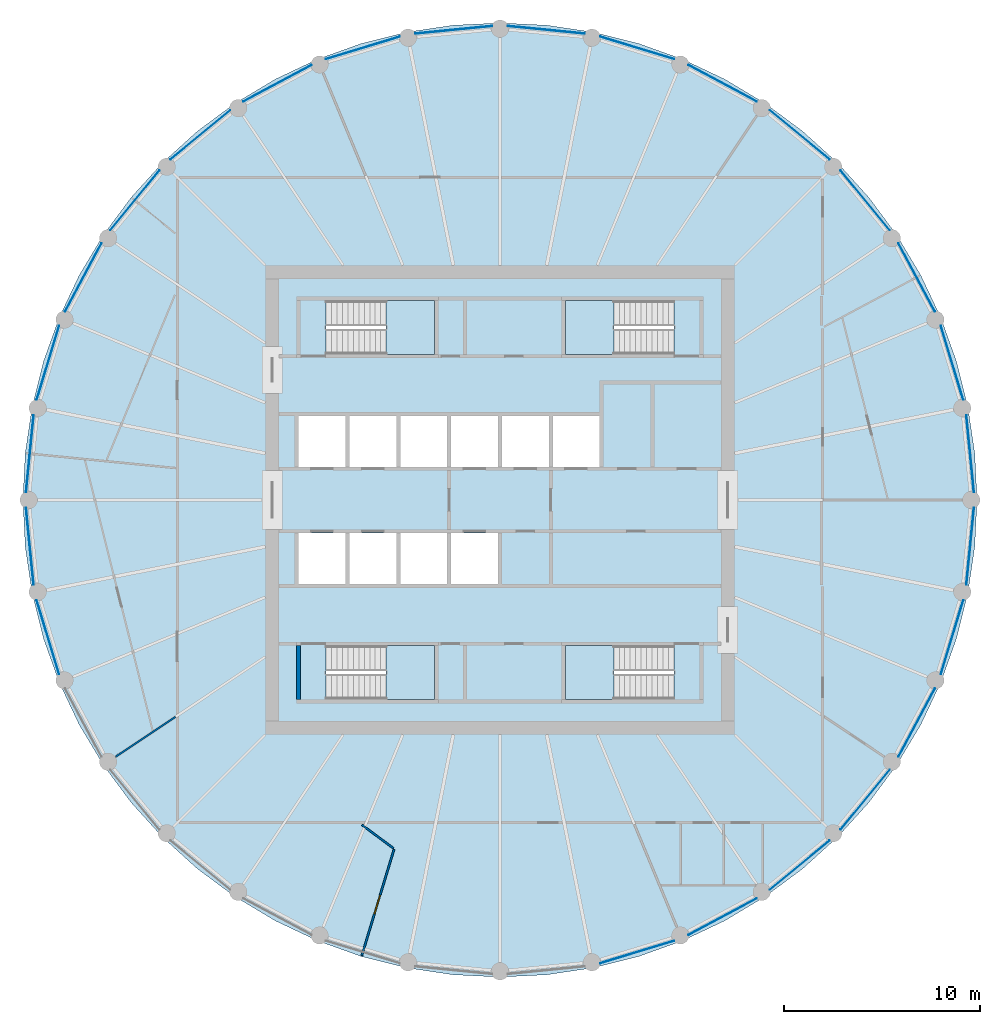
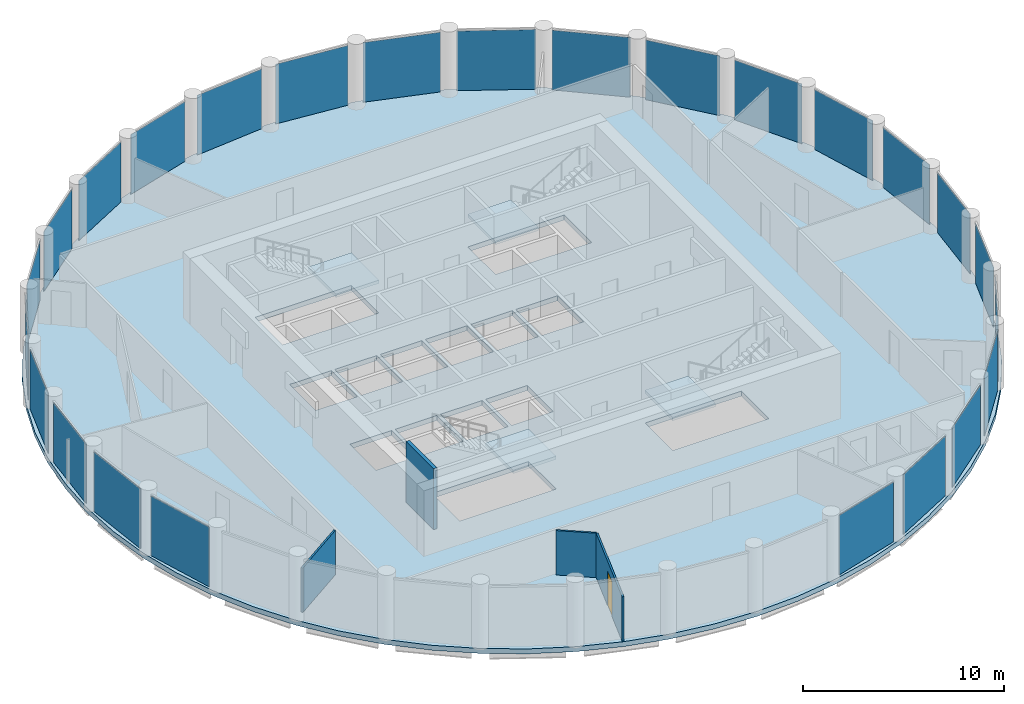
# One storey, part 3 of 7: 25 plates, 5 slabs, 4 walls, 1 door, 1 opening, 29 elements without a shape of their own.
"""IFC4 building model written with IfcOpenShell, lengths in metres."""

from ifc_helpers import new_model, si_unit, direction, frame, frame_2d, origin, origin_2d, place, context, subcontext, project, spatial, polyline, rectangle, outline, extrude, material, layer, layer_set, type_object, element, fill, aggregate, save


model = new_model("IFC4")

# Units and contexts
model_context = context("Model", 3, precision=1e-05, world=origin(), true_north=direction((0.0, 1.0)))
body_context = subcontext(model_context, "Body", "Model", "MODEL_VIEW")
ifc_project = project(units=[si_unit("LENGTHUNIT", "METRE"), si_unit("AREAUNIT", "SQUARE_METRE"), si_unit("VOLUMEUNIT", "CUBIC_METRE"), si_unit("PLANEANGLEUNIT", "RADIAN"), si_unit("MASSUNIT", "GRAM", prefix="KILO")], contexts=[model_context])

# Site, building, storey
site_placement = place(None, origin())
site = spatial("IfcSite", under=ifc_project, at=site_placement, CompositionType="ELEMENT")
building_placement = place(site_placement, origin())
building = spatial("IfcBuilding", under=site, at=building_placement, Name="Corvane Civic Tower", CompositionType="ELEMENT")
storey_placement = place(building_placement, frame((0.0, 0.0, 271.0)))
storey = spatial("IfcBuildingStorey", under=building, at=storey_placement, Name="L64", CompositionType="ELEMENT", Elevation=271.0)

# Slab
ifc_material_1 = material(Name="Concrete C40/50", Category="concrete")
ifc_layer_1 = layer(ifc_material_1, 0.300048828125)
ifc_layer_set_1 = layer_set([ifc_layer_1], Name="Concrete C40/50")
slab_type_1 = type_object("IfcSlabType", Name="FLOOR SLAB 300", PredefinedType="FLOOR", material=ifc_layer_set_1)
slab_1_placement = place(storey_placement, frame((0.0, 0.0, -0.300048828125)))
element("IfcSlab", 1, at=slab_1_placement, inside=storey, type_object=slab_type_1, Name="SLB-L64", PredefinedType="FLOOR", context=body_context, shape_type="SweptSolid", body=[
    extrude(outline(polyline([(0.0, 24.39990234375), (-2.3916015625, 24.282470703125), (-4.76025390625, 23.93115234375), (-7.0830078125, 23.349365234375), (-9.33740234375, 22.542724609375), (-11.502197265625, 21.518798828125), (-13.555908203125, 20.287841796875), (-15.479248046875, 18.861572265625), (-17.25341796875, 17.25341796875), (-18.861572265625, 15.479248046875), (-20.287841796875, 13.555908203125), (-21.518798828125, 11.502197265625), (-22.542724609375, 9.33740234375), (-23.349365234375, 7.0830078125), (-23.93115234375, 4.76025390625), (-24.282470703125, 2.3916015625), (-24.39990234375, 0.0), (-24.282470703125, -2.3916015625), (-23.93115234375, -4.76025390625), (-23.349365234375, -7.0830078125), (-22.542724609375, -9.33740234375), (-21.518798828125, -11.502197265625), (-20.287841796875, -13.555908203125), (-18.861572265625, -15.479248046875), (-17.25341796875, -17.25341796875), (-15.479248046875, -18.861572265625), (-13.555908203125, -20.287841796875), (-11.502197265625, -21.518798828125), (-9.33740234375, -22.542724609375), (-7.0830078125, -23.349365234375), (-4.76025390625, -23.93115234375), (-2.3916015625, -24.282470703125), (0.0, -24.39990234375), (2.3916015625, -24.282470703125), (4.76025390625, -23.93115234375), (7.0830078125, -23.349365234375), (9.33740234375, -22.542724609375), (11.502197265625, -21.518798828125), (13.555908203125, -20.287841796875), (15.479248046875, -18.861572265625), (17.25341796875, -17.25341796875), (18.861572265625, -15.479248046875), (20.287841796875, -13.555908203125), (21.518798828125, -11.502197265625), (22.542724609375, -9.33740234375), (23.349365234375, -7.0830078125), (23.93115234375, -4.76025390625), (24.282470703125, -2.3916015625), (24.39990234375, 0.0), (24.282470703125, 2.3916015625), (23.93115234375, 4.76025390625), (23.349365234375, 7.0830078125), (22.542724609375, 9.33740234375), (21.518798828125, 11.502197265625), (20.287841796875, 13.555908203125), (18.861572265625, 15.479248046875), (17.25341796875, 17.25341796875), (15.479248046875, 18.861572265625), (13.555908203125, 20.287841796875), (11.502197265625, 21.518798828125), (9.33740234375, 22.542724609375), (7.0830078125, 23.349365234375), (4.76025390625, 23.93115234375), (2.3916015625, 24.282470703125), (0.0, 24.39990234375)]), holes=[polyline([(-7.89990234375, 1.699951171875), (-10.300048828125, 1.699951171875), (-10.300048828125, 4.300048828125), (-7.89990234375, 4.300048828125), (-7.89990234375, 1.699951171875)]), polyline([(-5.300048828125, 1.699951171875), (-7.699951171875, 1.699951171875), (-7.699951171875, 4.300048828125), (-5.300048828125, 4.300048828125), (-5.300048828125, 1.699951171875)]), polyline([(-2.699951171875, 4.300048828125), (-2.699951171875, 1.699951171875), (-5.10009765625, 1.699951171875), (-5.10009765625, 4.300048828125), (-2.699951171875, 4.300048828125)]), polyline([(-0.10009765625, 4.300048828125), (-0.10009765625, 1.699951171875), (-2.5, 1.699951171875), (-2.5, 4.300048828125), (-0.10009765625, 4.300048828125)]), polyline([(2.5, 4.300048828125), (2.5, 1.699951171875), (0.10009765625, 1.699951171875), (0.10009765625, 4.300048828125), (2.5, 4.300048828125)]), polyline([(5.10009765625, 4.300048828125), (5.10009765625, 1.699951171875), (2.699951171875, 1.699951171875), (2.699951171875, 4.300048828125), (5.10009765625, 4.300048828125)]), polyline([(-10.300048828125, -4.300048828125), (-10.300048828125, -1.699951171875), (-7.89990234375, -1.699951171875), (-7.89990234375, -4.300048828125), (-10.300048828125, -4.300048828125)]), polyline([(-7.699951171875, -4.300048828125), (-7.699951171875, -1.699951171875), (-5.300048828125, -1.699951171875), (-5.300048828125, -4.300048828125), (-7.699951171875, -4.300048828125)]), polyline([(-2.699951171875, -1.699951171875), (-2.699951171875, -4.300048828125), (-5.10009765625, -4.300048828125), (-5.10009765625, -1.699951171875), (-2.699951171875, -1.699951171875)]), polyline([(-2.5, -4.300048828125), (-2.5, -1.699951171875), (-0.10009765625, -1.699951171875), (-0.10009765625, -4.300048828125), (-2.5, -4.300048828125)]), polyline([(8.889892578125, 10.199951171875), (8.889892578125, 7.449951171875), (3.35009765625, 7.449951171875), (3.35009765625, 10.199951171875), (8.889892578125, 10.199951171875)]), polyline([(-8.889892578125, 7.449951171875), (-8.889892578125, 10.199951171875), (-3.35009765625, 10.199951171875), (-3.35009765625, 7.449951171875), (-8.889892578125, 7.449951171875)]), polyline([(8.889892578125, -7.449951171875), (8.889892578125, -10.199951171875), (3.35009765625, -10.199951171875), (3.35009765625, -7.449951171875), (8.889892578125, -7.449951171875)]), polyline([(-8.889892578125, -10.199951171875), (-8.889892578125, -7.449951171875), (-3.35009765625, -7.449951171875), (-3.35009765625, -10.199951171875), (-8.889892578125, -10.199951171875)])]), origin(), (0.0, 0.0, 1.0), 0.300048828125),
])

# Stair, slab
ifc_material_2 = material(Name="Concrete C40/50", Category="concrete")
stair_type = type_object("IfcStairType", Name="ST-STAIR-HALFTURN", PredefinedType="HALF_TURN_STAIR", material=ifc_material_2)
stair_1_placement = place(storey_placement, origin())
stair_1 = element("IfcStair", 2, at=stair_1_placement, inside=storey, type_object=stair_type, Name="L64 Exit stair ST1", PredefinedType="HALF_TURN_STAIR")
ifc_material_3 = material(Name="Concrete C40/50", Category="concrete")
ifc_layer_2 = layer(ifc_material_3, 0.199951171875)
ifc_layer_set_2 = layer_set([ifc_layer_2], Name="Concrete C40/50")
slab_type_2 = type_object("IfcSlabType", Name="ST-LANDING-RC", PredefinedType="LANDING", material=ifc_layer_set_2)
slab_2_placement = place(storey_placement, frame((0.0, 0.0, 1.800048828125)))
slab_2 = element("IfcSlab", 3, at=slab_2_placement, type_object=slab_type_2, Name="ST1 landing 1", PredefinedType="LANDING", context=body_context, shape_type="SweptSolid", body=[
    extrude(outline(polyline([(5.820068359375, 10.199951171875), (3.35009765625, 10.199951171875), (3.35009765625, 7.449951171875), (5.820068359375, 7.449951171875), (5.820068359375, 10.199951171875)])), origin(), (0.0, 0.0, 1.0), 0.199951171875),
])
aggregate(stair_1, [slab_2])

stair_2_placement = place(storey_placement, origin())
stair_2 = element("IfcStair", 4, at=stair_2_placement, inside=storey, type_object=stair_type, Name="L64 Exit stair ST2", PredefinedType="HALF_TURN_STAIR")
slab_3_placement = place(storey_placement, frame((0.0, 0.0, 1.800048828125)))
slab_3 = element("IfcSlab", 5, at=slab_3_placement, type_object=slab_type_2, Name="ST2 landing 1", PredefinedType="LANDING", context=body_context, shape_type="SweptSolid", body=[
    extrude(outline(polyline([(5.820068359375, -7.449951171875), (3.35009765625, -7.449951171875), (3.35009765625, -10.199951171875), (5.820068359375, -10.199951171875), (5.820068359375, -7.449951171875)])), origin(), (0.0, 0.0, 1.0), 0.199951171875),
])
aggregate(stair_2, [slab_3])

stair_3_placement = place(storey_placement, origin())
stair_3 = element("IfcStair", 6, at=stair_3_placement, inside=storey, type_object=stair_type, Name="L64 Exit stair ST3", PredefinedType="HALF_TURN_STAIR")
slab_4_placement = place(storey_placement, frame((0.0, 0.0, 1.800048828125)))
slab_4 = element("IfcSlab", 7, at=slab_4_placement, type_object=slab_type_2, Name="ST3 landing 1", PredefinedType="LANDING", context=body_context, shape_type="SweptSolid", body=[
    extrude(outline(polyline([(-5.820068359375, -10.199951171875), (-3.35009765625, -10.199951171875), (-3.35009765625, -7.449951171875), (-5.820068359375, -7.449951171875), (-5.820068359375, -10.199951171875)])), origin(), (0.0, 0.0, 1.0), 0.199951171875),
])
aggregate(stair_3, [slab_4])

stair_4_placement = place(storey_placement, origin())
stair_4 = element("IfcStair", 8, at=stair_4_placement, inside=storey, type_object=stair_type, Name="L64 Exit stair ST4", PredefinedType="HALF_TURN_STAIR")
slab_5_placement = place(storey_placement, frame((0.0, 0.0, 1.800048828125)))
slab_5 = element("IfcSlab", 9, at=slab_5_placement, type_object=slab_type_2, Name="ST4 landing 1", PredefinedType="LANDING", context=body_context, shape_type="SweptSolid", body=[
    extrude(outline(polyline([(-5.820068359375, 7.449951171875), (-3.35009765625, 7.449951171875), (-3.35009765625, 10.199951171875), (-5.820068359375, 10.199951171875), (-5.820068359375, 7.449951171875)])), origin(), (0.0, 0.0, 1.0), 0.199951171875),
])
aggregate(stair_4, [slab_5])

# Curtain wall, plate
ifc_material_4 = material(Name="Anodised aluminium bronze", Category="aluminium")
curtain_wall_type = type_object("IfcCurtainWallType", Name="TOWER CW-T3 STICK CURTAIN WALL", PredefinedType="NOTDEFINED", material=ifc_material_4)
curtain_wall_1_placement = place(storey_placement, origin())
curtain_wall_1 = element("IfcCurtainWall", 10, at=curtain_wall_1_placement, inside=storey, type_object=curtain_wall_type, Name="Curtain wall CW-T3 L64 bay 01", PredefinedType="NOTDEFINED")
ifc_material_5 = material(Name="Tinted glass", Category="glass")
ifc_layer_3 = layer(ifc_material_5, 0.028076171875)
ifc_layer_set_3 = layer_set([ifc_layer_3], Name="Tinted glass")
plate_type = type_object("IfcPlateType", Name="TOWER CW-T3 PANEL IGU28", PredefinedType="CURTAIN_PANEL", material=ifc_layer_set_3)
plate_1_placement = place(storey_placement, frame((2.368408203125, 24.046875, 0.0), z_axis=(0.0, 0.0, 1.0), x_axis=(0.99518437747, -0.098020685775, 0.0)))
plate_1 = element("IfcPlate", 11, at=plate_1_placement, type_object=plate_type, Name="Glass panel CW-T3 L64 01.1", PredefinedType="CURTAIN_PANEL", context=body_context, shape_type="SweptSolid", body=[
    extrude(rectangle(XDim=3.958740234375, YDim=0.028076171875, at=origin_2d()), origin(), (0.0, 0.0, 1.0), 3.6298828125),
])
aggregate(curtain_wall_1, [plate_1])

curtain_wall_2_placement = place(storey_placement, origin())
curtain_wall_2 = element("IfcCurtainWall", 12, at=curtain_wall_2_placement, inside=storey, type_object=curtain_wall_type, Name="Curtain wall CW-T3 L64 bay 02", PredefinedType="NOTDEFINED")
plate_2_placement = place(storey_placement, frame((7.01416015625, 23.12255859375, 0.0), z_axis=(0.0, 0.0, 1.0), x_axis=(0.956943694519, -0.290273604586, 0.0)))
plate_2 = element("IfcPlate", 13, at=plate_2_placement, type_object=plate_type, Name="Glass panel CW-T3 L64 02.1", PredefinedType="CURTAIN_PANEL", context=body_context, shape_type="SweptSolid", body=[
    extrude(rectangle(XDim=3.958984375, YDim=0.028076171875, at=origin_2d()), origin(), (0.0, 0.0, 1.0), 3.6298828125),
])
aggregate(curtain_wall_2, [plate_2])

curtain_wall_3_placement = place(storey_placement, origin())
curtain_wall_3 = element("IfcCurtainWall", 14, at=curtain_wall_3_placement, inside=storey, type_object=curtain_wall_type, Name="Curtain wall CW-T3 L64 bay 03", PredefinedType="NOTDEFINED")
plate_3_placement = place(storey_placement, frame((11.390380859375, 21.31005859375, 0.0), z_axis=(0.0, 0.0, 1.0), x_axis=(0.881908138655, -0.471421292448, 0.0)))
plate_3 = element("IfcPlate", 15, at=plate_3_placement, type_object=plate_type, Name="Glass panel CW-T3 L64 03.1", PredefinedType="CURTAIN_PANEL", context=body_context, shape_type="SweptSolid", body=[
    extrude(rectangle(XDim=3.958740234375, YDim=0.028076171875, at=origin_2d()), origin(), (0.0, 0.0, 1.0), 3.6298828125),
])
aggregate(curtain_wall_3, [plate_3])

curtain_wall_4_placement = place(storey_placement, origin())
curtain_wall_4 = element("IfcCurtainWall", 16, at=curtain_wall_4_placement, inside=storey, type_object=curtain_wall_type, Name="Curtain wall CW-T3 L64 bay 04", PredefinedType="NOTDEFINED")
plate_4_placement = place(storey_placement, frame((15.328857421875, 18.67822265625, 0.0), z_axis=(0.0, 0.0, 1.0), x_axis=(0.773001130565, -0.634404643855, 0.0)))
plate_4 = element("IfcPlate", 17, at=plate_4_placement, type_object=plate_type, Name="Glass panel CW-T3 L64 04.1", PredefinedType="CURTAIN_PANEL", context=body_context, shape_type="SweptSolid", body=[
    extrude(rectangle(XDim=3.958740234375, YDim=0.028076171875, at=origin_2d()), origin(), (0.0, 0.0, 1.0), 3.6298828125),
])
aggregate(curtain_wall_4, [plate_4])

curtain_wall_5_placement = place(storey_placement, origin())
curtain_wall_5 = element("IfcCurtainWall", 18, at=curtain_wall_5_placement, inside=storey, type_object=curtain_wall_type, Name="Curtain wall CW-T3 L64 bay 05", PredefinedType="NOTDEFINED")
plate_5_placement = place(storey_placement, frame((18.67822265625, 15.328857421875, 0.0), z_axis=(0.0, 0.0, 1.0), x_axis=(0.634404643855, -0.773001130565, 0.0)))
plate_5 = element("IfcPlate", 19, at=plate_5_placement, type_object=plate_type, Name="Glass panel CW-T3 L64 05.1", PredefinedType="CURTAIN_PANEL", context=body_context, shape_type="SweptSolid", body=[
    extrude(rectangle(XDim=3.958740234375, YDim=0.028076171875, at=origin_2d()), origin(), (0.0, 0.0, 1.0), 3.6298828125),
])
aggregate(curtain_wall_5, [plate_5])

curtain_wall_6_placement = place(storey_placement, origin())
curtain_wall_6 = element("IfcCurtainWall", 20, at=curtain_wall_6_placement, inside=storey, type_object=curtain_wall_type, Name="Curtain wall CW-T3 L64 bay 06", PredefinedType="NOTDEFINED")
plate_6_placement = place(storey_placement, frame((21.31005859375, 11.390380859375, 0.0), z_axis=(0.0, 0.0, 1.0), x_axis=(0.471421292448, -0.881908138655, 0.0)))
plate_6 = element("IfcPlate", 21, at=plate_6_placement, type_object=plate_type, Name="Glass panel CW-T3 L64 06.1", PredefinedType="CURTAIN_PANEL", context=body_context, shape_type="SweptSolid", body=[
    extrude(rectangle(XDim=3.958740234375, YDim=0.028076171875, at=origin_2d()), origin(), (0.0, 0.0, 1.0), 3.6298828125),
])
aggregate(curtain_wall_6, [plate_6])

curtain_wall_7_placement = place(storey_placement, origin())
curtain_wall_7 = element("IfcCurtainWall", 22, at=curtain_wall_7_placement, inside=storey, type_object=curtain_wall_type, Name="Curtain wall CW-T3 L64 bay 07", PredefinedType="NOTDEFINED")
plate_7_placement = place(storey_placement, frame((23.12255859375, 7.01416015625, 0.0), z_axis=(0.0, 0.0, 1.0), x_axis=(0.290273604586, -0.956943694519, 0.0)))
plate_7 = element("IfcPlate", 23, at=plate_7_placement, type_object=plate_type, Name="Glass panel CW-T3 L64 07.1", PredefinedType="CURTAIN_PANEL", context=body_context, shape_type="SweptSolid", body=[
    extrude(rectangle(XDim=3.958984375, YDim=0.028076171875, at=origin_2d()), origin(), (0.0, 0.0, 1.0), 3.6298828125),
])
aggregate(curtain_wall_7, [plate_7])

curtain_wall_8_placement = place(storey_placement, origin())
curtain_wall_8 = element("IfcCurtainWall", 24, at=curtain_wall_8_placement, inside=storey, type_object=curtain_wall_type, Name="Curtain wall CW-T3 L64 bay 08", PredefinedType="NOTDEFINED")
plate_8_placement = place(storey_placement, frame((24.046875, 2.368408203125, 0.0), z_axis=(0.0, 0.0, 1.0), x_axis=(0.098020685775, -0.99518437747, 0.0)))
plate_8 = element("IfcPlate", 25, at=plate_8_placement, type_object=plate_type, Name="Glass panel CW-T3 L64 08.1", PredefinedType="CURTAIN_PANEL", context=body_context, shape_type="SweptSolid", body=[
    extrude(rectangle(XDim=3.958740234375, YDim=0.028076171875, at=origin_2d()), origin(), (0.0, 0.0, 1.0), 3.6298828125),
])
aggregate(curtain_wall_8, [plate_8])

curtain_wall_9_placement = place(storey_placement, origin())
curtain_wall_9 = element("IfcCurtainWall", 26, at=curtain_wall_9_placement, inside=storey, type_object=curtain_wall_type, Name="Curtain wall CW-T3 L64 bay 09", PredefinedType="NOTDEFINED")
plate_9_placement = place(storey_placement, frame((24.046875, -2.368408203125, 0.0), z_axis=(0.0, 0.0, 1.0), x_axis=(-0.098020685775, -0.99518437747, 0.0)))
plate_9 = element("IfcPlate", 27, at=plate_9_placement, type_object=plate_type, Name="Glass panel CW-T3 L64 09.1", PredefinedType="CURTAIN_PANEL", context=body_context, shape_type="SweptSolid", body=[
    extrude(rectangle(XDim=3.958740234375, YDim=0.028076171875, at=origin_2d()), origin(), (0.0, 0.0, 1.0), 3.6298828125),
])
aggregate(curtain_wall_9, [plate_9])

curtain_wall_10_placement = place(storey_placement, origin())
curtain_wall_10 = element("IfcCurtainWall", 28, at=curtain_wall_10_placement, inside=storey, type_object=curtain_wall_type, Name="Curtain wall CW-T3 L64 bay 10", PredefinedType="NOTDEFINED")
plate_10_placement = place(storey_placement, frame((23.12255859375, -7.01416015625, 0.0), z_axis=(0.0, 0.0, 1.0), x_axis=(-0.290273604586, -0.956943694519, 0.0)))
plate_10 = element("IfcPlate", 29, at=plate_10_placement, type_object=plate_type, Name="Glass panel CW-T3 L64 10.1", PredefinedType="CURTAIN_PANEL", context=body_context, shape_type="SweptSolid", body=[
    extrude(rectangle(XDim=3.958984375, YDim=0.028076171875, at=origin_2d()), origin(), (0.0, 0.0, 1.0), 3.6298828125),
])
aggregate(curtain_wall_10, [plate_10])

curtain_wall_11_placement = place(storey_placement, origin())
curtain_wall_11 = element("IfcCurtainWall", 30, at=curtain_wall_11_placement, inside=storey, type_object=curtain_wall_type, Name="Curtain wall CW-T3 L64 bay 11", PredefinedType="NOTDEFINED")
plate_11_placement = place(storey_placement, frame((21.31005859375, -11.390380859375, 0.0), z_axis=(0.0, 0.0, 1.0), x_axis=(-0.471421292448, -0.881908138655, 0.0)))
plate_11 = element("IfcPlate", 31, at=plate_11_placement, type_object=plate_type, Name="Glass panel CW-T3 L64 11.1", PredefinedType="CURTAIN_PANEL", context=body_context, shape_type="SweptSolid", body=[
    extrude(rectangle(XDim=3.958740234375, YDim=0.028076171875, at=origin_2d()), origin(), (0.0, 0.0, 1.0), 3.6298828125),
])
aggregate(curtain_wall_11, [plate_11])

curtain_wall_12_placement = place(storey_placement, origin())
curtain_wall_12 = element("IfcCurtainWall", 32, at=curtain_wall_12_placement, inside=storey, type_object=curtain_wall_type, Name="Curtain wall CW-T3 L64 bay 12", PredefinedType="NOTDEFINED")
plate_12_placement = place(storey_placement, frame((18.67822265625, -15.328857421875, 0.0), z_axis=(0.0, 0.0, 1.0), x_axis=(-0.634404643855, -0.773001130565, 0.0)))
plate_12 = element("IfcPlate", 33, at=plate_12_placement, type_object=plate_type, Name="Glass panel CW-T3 L64 12.1", PredefinedType="CURTAIN_PANEL", context=body_context, shape_type="SweptSolid", body=[
    extrude(rectangle(XDim=3.958740234375, YDim=0.028076171875, at=origin_2d()), origin(), (0.0, 0.0, 1.0), 3.6298828125),
])
aggregate(curtain_wall_12, [plate_12])

curtain_wall_13_placement = place(storey_placement, origin())
curtain_wall_13 = element("IfcCurtainWall", 34, at=curtain_wall_13_placement, inside=storey, type_object=curtain_wall_type, Name="Curtain wall CW-T3 L64 bay 13", PredefinedType="NOTDEFINED")
plate_13_placement = place(storey_placement, frame((15.328857421875, -18.67822265625, 0.0), z_axis=(0.0, 0.0, 1.0), x_axis=(-0.773001130565, -0.634404643855, 0.0)))
plate_13 = element("IfcPlate", 35, at=plate_13_placement, type_object=plate_type, Name="Glass panel CW-T3 L64 13.1", PredefinedType="CURTAIN_PANEL", context=body_context, shape_type="SweptSolid", body=[
    extrude(rectangle(XDim=3.958740234375, YDim=0.028076171875, at=origin_2d()), origin(), (0.0, 0.0, 1.0), 3.6298828125),
])
aggregate(curtain_wall_13, [plate_13])

curtain_wall_14_placement = place(storey_placement, origin())
curtain_wall_14 = element("IfcCurtainWall", 36, at=curtain_wall_14_placement, inside=storey, type_object=curtain_wall_type, Name="Curtain wall CW-T3 L64 bay 14", PredefinedType="NOTDEFINED")
plate_14_placement = place(storey_placement, frame((11.390380859375, -21.31005859375, 0.0), z_axis=(0.0, 0.0, 1.0), x_axis=(-0.881908138655, -0.471421292448, 0.0)))
plate_14 = element("IfcPlate", 37, at=plate_14_placement, type_object=plate_type, Name="Glass panel CW-T3 L64 14.1", PredefinedType="CURTAIN_PANEL", context=body_context, shape_type="SweptSolid", body=[
    extrude(rectangle(XDim=3.958740234375, YDim=0.028076171875, at=origin_2d()), origin(), (0.0, 0.0, 1.0), 3.6298828125),
])
aggregate(curtain_wall_14, [plate_14])

curtain_wall_15_placement = place(storey_placement, origin())
curtain_wall_15 = element("IfcCurtainWall", 38, at=curtain_wall_15_placement, inside=storey, type_object=curtain_wall_type, Name="Curtain wall CW-T3 L64 bay 15", PredefinedType="NOTDEFINED")
plate_15_placement = place(storey_placement, frame((7.01416015625, -23.12255859375, 0.0), z_axis=(0.0, 0.0, 1.0), x_axis=(-0.956943694519, -0.290273604586, 0.0)))
plate_15 = element("IfcPlate", 39, at=plate_15_placement, type_object=plate_type, Name="Glass panel CW-T3 L64 15.1", PredefinedType="CURTAIN_PANEL", context=body_context, shape_type="SweptSolid", body=[
    extrude(rectangle(XDim=3.958984375, YDim=0.028076171875, at=origin_2d()), origin(), (0.0, 0.0, 1.0), 3.6298828125),
])
aggregate(curtain_wall_15, [plate_15])

curtain_wall_16_placement = place(storey_placement, origin())
curtain_wall_16 = element("IfcCurtainWall", 40, at=curtain_wall_16_placement, inside=storey, type_object=curtain_wall_type, Name="Curtain wall CW-T3 L64 bay 23", PredefinedType="NOTDEFINED")
plate_16_placement = place(storey_placement, frame((-23.12255859375, -7.01416015625, 0.0), z_axis=(0.0, 0.0, 1.0), x_axis=(-0.290273604586, 0.956943694519, 0.0)))
plate_16 = element("IfcPlate", 41, at=plate_16_placement, type_object=plate_type, Name="Glass panel CW-T3 L64 23.1", PredefinedType="CURTAIN_PANEL", context=body_context, shape_type="SweptSolid", body=[
    extrude(rectangle(XDim=3.958984375, YDim=0.028076171875, at=origin_2d()), origin(), (0.0, 0.0, 1.0), 3.6298828125),
])
aggregate(curtain_wall_16, [plate_16])

curtain_wall_17_placement = place(storey_placement, origin())
curtain_wall_17 = element("IfcCurtainWall", 42, at=curtain_wall_17_placement, inside=storey, type_object=curtain_wall_type, Name="Curtain wall CW-T3 L64 bay 24", PredefinedType="NOTDEFINED")
plate_17_placement = place(storey_placement, frame((-24.046875, -2.368408203125, 0.0), z_axis=(0.0, 0.0, 1.0), x_axis=(-0.098020685775, 0.99518437747, 0.0)))
plate_17 = element("IfcPlate", 43, at=plate_17_placement, type_object=plate_type, Name="Glass panel CW-T3 L64 24.1", PredefinedType="CURTAIN_PANEL", context=body_context, shape_type="SweptSolid", body=[
    extrude(rectangle(XDim=3.958740234375, YDim=0.028076171875, at=origin_2d()), origin(), (0.0, 0.0, 1.0), 3.6298828125),
])
aggregate(curtain_wall_17, [plate_17])

curtain_wall_18_placement = place(storey_placement, origin())
curtain_wall_18 = element("IfcCurtainWall", 44, at=curtain_wall_18_placement, inside=storey, type_object=curtain_wall_type, Name="Curtain wall CW-T3 L64 bay 25", PredefinedType="NOTDEFINED")
plate_18_placement = place(storey_placement, frame((-24.046875, 2.368408203125, 0.0), z_axis=(0.0, 0.0, 1.0), x_axis=(0.098020685775, 0.99518437747, 0.0)))
plate_18 = element("IfcPlate", 45, at=plate_18_placement, type_object=plate_type, Name="Glass panel CW-T3 L64 25.1", PredefinedType="CURTAIN_PANEL", context=body_context, shape_type="SweptSolid", body=[
    extrude(rectangle(XDim=3.958740234375, YDim=0.028076171875, at=origin_2d()), origin(), (0.0, 0.0, 1.0), 3.6298828125),
])
aggregate(curtain_wall_18, [plate_18])

curtain_wall_19_placement = place(storey_placement, origin())
curtain_wall_19 = element("IfcCurtainWall", 46, at=curtain_wall_19_placement, inside=storey, type_object=curtain_wall_type, Name="Curtain wall CW-T3 L64 bay 26", PredefinedType="NOTDEFINED")
plate_19_placement = place(storey_placement, frame((-23.12255859375, 7.01416015625, 0.0), z_axis=(0.0, 0.0, 1.0), x_axis=(0.290273604586, 0.956943694519, 0.0)))
plate_19 = element("IfcPlate", 47, at=plate_19_placement, type_object=plate_type, Name="Glass panel CW-T3 L64 26.1", PredefinedType="CURTAIN_PANEL", context=body_context, shape_type="SweptSolid", body=[
    extrude(rectangle(XDim=3.958984375, YDim=0.028076171875, at=origin_2d()), origin(), (0.0, 0.0, 1.0), 3.6298828125),
])
aggregate(curtain_wall_19, [plate_19])

curtain_wall_20_placement = place(storey_placement, origin())
curtain_wall_20 = element("IfcCurtainWall", 48, at=curtain_wall_20_placement, inside=storey, type_object=curtain_wall_type, Name="Curtain wall CW-T3 L64 bay 27", PredefinedType="NOTDEFINED")
plate_20_placement = place(storey_placement, frame((-21.31005859375, 11.390380859375, 0.0), z_axis=(0.0, 0.0, 1.0), x_axis=(0.471421292448, 0.881908138655, 0.0)))
plate_20 = element("IfcPlate", 49, at=plate_20_placement, type_object=plate_type, Name="Glass panel CW-T3 L64 27.1", PredefinedType="CURTAIN_PANEL", context=body_context, shape_type="SweptSolid", body=[
    extrude(rectangle(XDim=3.958740234375, YDim=0.028076171875, at=origin_2d()), origin(), (0.0, 0.0, 1.0), 3.6298828125),
])
aggregate(curtain_wall_20, [plate_20])

curtain_wall_21_placement = place(storey_placement, origin())
curtain_wall_21 = element("IfcCurtainWall", 50, at=curtain_wall_21_placement, inside=storey, type_object=curtain_wall_type, Name="Curtain wall CW-T3 L64 bay 28", PredefinedType="NOTDEFINED")
plate_21_placement = place(storey_placement, frame((-18.67822265625, 15.328857421875, 0.0), z_axis=(0.0, 0.0, 1.0), x_axis=(0.634404643855, 0.773001130565, 0.0)))
plate_21 = element("IfcPlate", 51, at=plate_21_placement, type_object=plate_type, Name="Glass panel CW-T3 L64 28.1", PredefinedType="CURTAIN_PANEL", context=body_context, shape_type="SweptSolid", body=[
    extrude(rectangle(XDim=3.958740234375, YDim=0.028076171875, at=origin_2d()), origin(), (0.0, 0.0, 1.0), 3.6298828125),
])
aggregate(curtain_wall_21, [plate_21])

curtain_wall_22_placement = place(storey_placement, origin())
curtain_wall_22 = element("IfcCurtainWall", 52, at=curtain_wall_22_placement, inside=storey, type_object=curtain_wall_type, Name="Curtain wall CW-T3 L64 bay 29", PredefinedType="NOTDEFINED")
plate_22_placement = place(storey_placement, frame((-15.328857421875, 18.67822265625, 0.0), z_axis=(0.0, 0.0, 1.0), x_axis=(0.773001130565, 0.634404643855, 0.0)))
plate_22 = element("IfcPlate", 53, at=plate_22_placement, type_object=plate_type, Name="Glass panel CW-T3 L64 29.1", PredefinedType="CURTAIN_PANEL", context=body_context, shape_type="SweptSolid", body=[
    extrude(rectangle(XDim=3.958740234375, YDim=0.028076171875, at=origin_2d()), origin(), (0.0, 0.0, 1.0), 3.6298828125),
])
aggregate(curtain_wall_22, [plate_22])

curtain_wall_23_placement = place(storey_placement, origin())
curtain_wall_23 = element("IfcCurtainWall", 54, at=curtain_wall_23_placement, inside=storey, type_object=curtain_wall_type, Name="Curtain wall CW-T3 L64 bay 30", PredefinedType="NOTDEFINED")
plate_23_placement = place(storey_placement, frame((-11.390380859375, 21.31005859375, 0.0), z_axis=(0.0, 0.0, 1.0), x_axis=(0.881908138655, 0.471421292448, 0.0)))
plate_23 = element("IfcPlate", 55, at=plate_23_placement, type_object=plate_type, Name="Glass panel CW-T3 L64 30.1", PredefinedType="CURTAIN_PANEL", context=body_context, shape_type="SweptSolid", body=[
    extrude(rectangle(XDim=3.958740234375, YDim=0.028076171875, at=origin_2d()), origin(), (0.0, 0.0, 1.0), 3.6298828125),
])
aggregate(curtain_wall_23, [plate_23])

curtain_wall_24_placement = place(storey_placement, origin())
curtain_wall_24 = element("IfcCurtainWall", 56, at=curtain_wall_24_placement, inside=storey, type_object=curtain_wall_type, Name="Curtain wall CW-T3 L64 bay 31", PredefinedType="NOTDEFINED")
plate_24_placement = place(storey_placement, frame((-7.01416015625, 23.12255859375, 0.0), z_axis=(0.0, 0.0, 1.0), x_axis=(0.956943694519, 0.290273604586, 0.0)))
plate_24 = element("IfcPlate", 57, at=plate_24_placement, type_object=plate_type, Name="Glass panel CW-T3 L64 31.1", PredefinedType="CURTAIN_PANEL", context=body_context, shape_type="SweptSolid", body=[
    extrude(rectangle(XDim=3.958984375, YDim=0.028076171875, at=origin_2d()), origin(), (0.0, 0.0, 1.0), 3.6298828125),
])
aggregate(curtain_wall_24, [plate_24])

curtain_wall_25_placement = place(storey_placement, origin())
curtain_wall_25 = element("IfcCurtainWall", 58, at=curtain_wall_25_placement, inside=storey, type_object=curtain_wall_type, Name="Curtain wall CW-T3 L64 bay 32", PredefinedType="NOTDEFINED")
plate_25_placement = place(storey_placement, frame((-2.368408203125, 24.046875, 0.0), z_axis=(0.0, 0.0, 1.0), x_axis=(0.99518437747, 0.098020685775, 0.0)))
plate_25 = element("IfcPlate", 59, at=plate_25_placement, type_object=plate_type, Name="Glass panel CW-T3 L64 32.1", PredefinedType="CURTAIN_PANEL", context=body_context, shape_type="SweptSolid", body=[
    extrude(rectangle(XDim=3.958740234375, YDim=0.028076171875, at=origin_2d()), origin(), (0.0, 0.0, 1.0), 3.6298828125),
])
aggregate(curtain_wall_25, [plate_25])

# Wall, opening, door
ifc_material_6 = material(Name="Plasterboard")
ifc_layer_4 = layer(ifc_material_6, 0.10009765625)
ifc_layer_set_4 = layer_set([ifc_layer_4], Name="Plasterboard")
wall_type_1 = type_object("IfcWallType", Name="Partition 100 plasterboard on studs", PredefinedType="PARTITIONING", material=ifc_layer_set_4)
wall_1_placement = place(storey_placement, frame((-7.068603515625, -23.3017578125, 0.0), z_axis=(0.0, 0.0, 1.0), x_axis=(0.290296497756, 0.956936749943, 0.0)))
wall_1 = element("IfcWall", 60, at=wall_1_placement, inside=storey, type_object=wall_type_1, Name="Partition L64.001", PredefinedType="PARTITIONING", context=body_context, shape_type="SweptSolid", body=[
    extrude(rectangle(XDim=5.671630859375, YDim=0.10009765625, at=frame_2d((2.8359375, 0.0))), origin(), (0.0, 0.0, 1.0), 2.699951171875),
])
opening_placement = place(wall_1_placement, frame((2.22705078125, 0.0, 0.0)))
opening = element("IfcOpeningElement", 61, at=opening_placement, cuts=wall_1, Name="Opening L64.016", PredefinedType="OPENING", context=body_context, shape_type="SweptSolid", body=[
    extrude(rectangle(XDim=1.0, YDim=2.10009765625, at=frame_2d((0.5, 1.050048828125))), frame((0.0, 0.06005859375, 0.0), z_axis=(0.0, -1.0, 0.0), x_axis=(1.0, 0.0, 0.0)), (0.0, 0.0, 1.0), 0.1201171875),
])
ifc_material_7 = material(Name="Timber", Category="wood")
door_type = type_object("IfcDoorType", Name="Single door 1000", OperationType="NOTDEFINED", PredefinedType="DOOR", material=ifc_material_7)
door_placement = place(opening_placement, origin())
door = element("IfcDoor", 62, at=door_placement, inside=storey, type_object=door_type, Name="Door L64.016", OperationType="SINGLE_SWING_LEFT", OverallHeight=2.10009765625, OverallWidth=1.0, PredefinedType="DOOR", context=body_context, shape_type="SweptSolid", body=[
    extrude(rectangle(XDim=1.0, YDim=2.10009765625, at=frame_2d((0.5, 1.050048828125))), frame((0.0, 0.02490234375, 0.0), z_axis=(0.0, -1.0, 0.0), x_axis=(1.0, 0.0, 0.0)), (0.0, 0.0, 1.0), 0.050048828125),
])
fill(opening, door)

# Walls
wall_2_placement = place(storey_placement, frame((-7.064208984375, -16.615234375, 0.0), z_axis=(0.0, 0.0, 1.0), x_axis=(0.803234074764, -0.595663513351, 0.0)))
element("IfcWall", 63, at=wall_2_placement, inside=storey, type_object=wall_type_1, Name="Partition L64.007", PredefinedType="PARTITIONING", context=body_context, shape_type="SweptSolid", body=[
    extrude(rectangle(XDim=2.02197265625, YDim=0.10009765625, at=frame_2d((1.010986328125, 0.0))), origin(), (0.0, 0.0, 1.0), 2.699951171875),
])
wall_3_placement = place(storey_placement, frame((-19.656005859375, -13.133544921875, 0.0), z_axis=(0.0, 0.0, 1.0), x_axis=(0.831477046095, 0.555559107402, 0.0)))
element("IfcWall", 64, at=wall_3_placement, inside=storey, type_object=wall_type_1, Name="Partition L64.011", PredefinedType="PARTITIONING", context=body_context, shape_type="SweptSolid", body=[
    extrude(rectangle(XDim=3.672119140625, YDim=0.10009765625, at=frame_2d((1.8359375, 0.0))), origin(), (0.0, 0.0, 1.0), 2.699951171875),
])
ifc_material_8 = material(Name="Concrete C50/60", Category="concrete")
ifc_layer_5 = layer(ifc_material_8, 0.199951171875)
ifc_layer_set_5 = layer_set([ifc_layer_5], Name="Concrete C50/60")
wall_type_2 = type_object("IfcWallType", Name="ST-WALL-200", PredefinedType="SHEAR", material=ifc_layer_set_5)
wall_4_placement = place(storey_placement, origin())
element("IfcWall", 65, at=wall_4_placement, inside=storey, type_object=wall_type_2, Name="L64 stair enclosure wall", PredefinedType="SHEAR", context=body_context, shape_type="SweptSolid", body=[
    extrude(outline(polyline([(-10.199951171875, -7.449951171875), (-10.199951171875, -10.199951171875), (-10.39990234375, -10.199951171875), (-10.39990234375, -7.449951171875), (-10.199951171875, -7.449951171875)])), origin(), (0.0, 0.0, 1.0), 3.699951171875),
])

save(model, "model.ifc")
